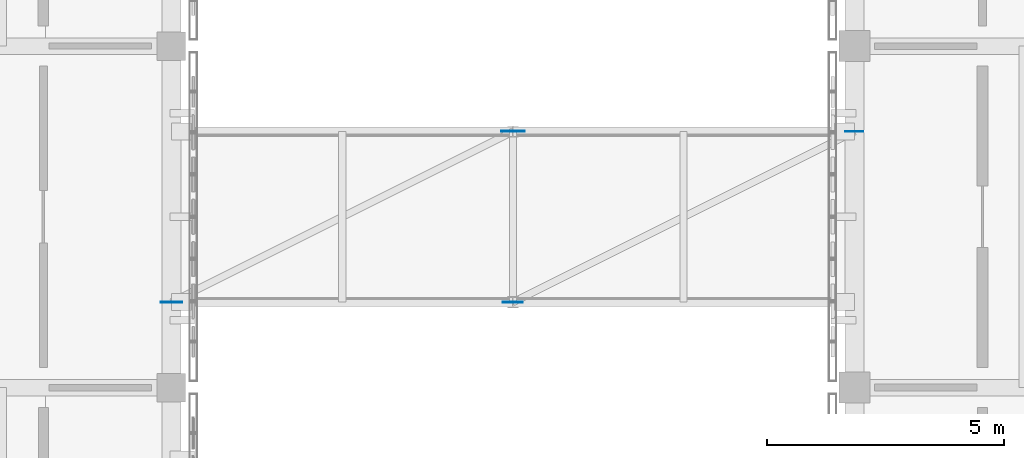
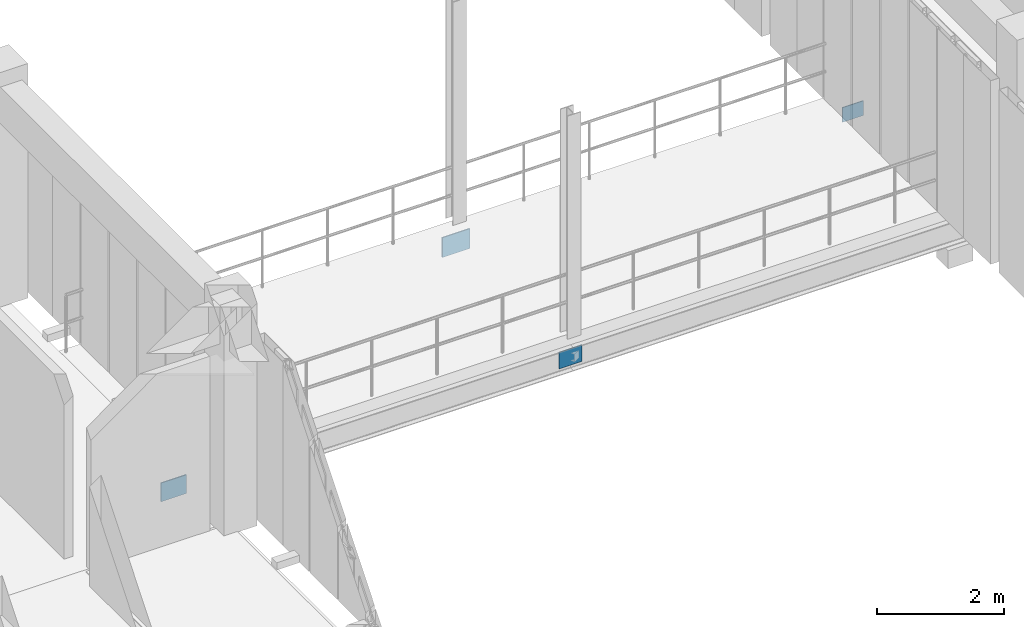
# One storey, part 116 of 171: 4 plates.
"""IFC4 building model written with IfcOpenShell, lengths in metres."""

from ifc_helpers import new_model, si_unit, direction, frame, origin, origin_2d, place, context, subcontext, project, spatial, rectangle, extrude, material, layer, layer_set, type_object, element, save


model = new_model("IFC4")

# Units and contexts
model_context = context("Model", 3, precision=1e-05, world=origin(), true_north=direction((0.0, 1.0)))
body_context = subcontext(model_context, "Body", "Model", "MODEL_VIEW")
ifc_project = project(units=[si_unit("LENGTHUNIT", "METRE"), si_unit("AREAUNIT", "SQUARE_METRE"), si_unit("VOLUMEUNIT", "CUBIC_METRE"), si_unit("PLANEANGLEUNIT", "RADIAN"), si_unit("MASSUNIT", "GRAM", prefix="KILO")], contexts=[model_context])

# Site, building, storey
site_placement = place(None, origin())
site = spatial("IfcSite", under=ifc_project, at=site_placement, CompositionType="ELEMENT")
building_placement = place(site_placement, origin())
building = spatial("IfcBuilding", under=site, at=building_placement, Name="Aldebral Square Health Centre", CompositionType="ELEMENT")
storey_placement = place(building_placement, frame((0.0, 0.0, 4.5)))
storey = spatial("IfcBuildingStorey", under=building, at=storey_placement, Name="L01", CompositionType="ELEMENT", Elevation=4.5)

# Plates
ifc_material = material(Name="Steel S355JR", Category="steel")
ifc_layer_1 = layer(ifc_material, 0.01611328125, Name="Steel S355JR", Category="steel")
ifc_layer_set_1 = layer_set([ifc_layer_1], Name="Steel S355JR")
plate_type_1 = type_object("IfcPlateType", Name="PL-GUS-1", PredefinedType="USERDEFINED", material=ifc_layer_set_1)
plate_1_placement = place(storey_placement, frame((151.199951171875, 81.0, -0.60498046875), z_axis=(0.0, 0.0, 1.0), x_axis=(1.0, 0.0, 0.0)))
element("IfcPlate", 1, at=plate_1_placement, inside=storey, type_object=plate_type_1, Name="East Light Court Bridge L01 plan brace 2 start gusset plate", ObjectType="GUSSET_PLATE", PredefinedType="USERDEFINED", context=body_context, shape_type="SweptSolid", body=[
    extrude(rectangle(XDim=0.419921875, YDim=0.01611328125, at=origin_2d()), origin(), (0.0, 0.0, 1.0), 0.320068359375),
])
ifc_layer_2 = layer(ifc_material, 0.01611328125, Name="Steel S355JR", Category="steel")
ifc_layer_set_2 = layer_set([ifc_layer_2], Name="Steel S355JR")
plate_type_2 = type_object("IfcPlateType", Name="PL-GUS-2", PredefinedType="USERDEFINED", material=ifc_layer_set_2)
plate_2_placement = place(storey_placement, frame((158.39990234375, 84.60009765625, -0.5849609375), z_axis=(0.0, 0.0, 1.0), x_axis=(1.0, 0.0, 0.0)))
element("IfcPlate", 2, at=plate_2_placement, inside=storey, type_object=plate_type_2, Name="East Light Court Bridge L01 plan brace 2 end gusset plate", ObjectType="GUSSET_PLATE", PredefinedType="USERDEFINED", context=body_context, shape_type="SweptSolid", body=[
    extrude(rectangle(XDim=0.3798828125, YDim=0.01611328125, at=origin_2d()), origin(), (0.0, 0.0, 1.0), 0.280029296875),
])
ifc_layer_3 = layer(ifc_material, 0.01806640625, Name="Steel S355JR", Category="steel")
ifc_layer_set_3 = layer_set([ifc_layer_3], Name="Steel S355JR")
plate_type_3 = type_object("IfcPlateType", Name="PL-GUS-5", PredefinedType="USERDEFINED", material=ifc_layer_set_3)
plate_3_placement = place(storey_placement, frame((144.0, 81.0, -0.625), z_axis=(0.0, 0.0, 1.0), x_axis=(1.0, 0.0, 0.0)))
element("IfcPlate", 3, at=plate_3_placement, inside=storey, type_object=plate_type_3, Name="East Light Court Bridge L01 plan brace 1 start gusset plate", ObjectType="GUSSET_PLATE", PredefinedType="USERDEFINED", context=body_context, shape_type="SweptSolid", body=[
    extrude(rectangle(XDim=0.4599609375, YDim=0.01806640625, at=origin_2d()), origin(), (0.0, 0.0, 1.0), 0.360107421875),
])
ifc_layer_4 = layer(ifc_material, 0.02001953125, Name="Steel S355JR", Category="steel")
ifc_layer_set_4 = layer_set([ifc_layer_4], Name="Steel S355JR")
plate_type_4 = type_object("IfcPlateType", Name="PL-GUS-6", PredefinedType="USERDEFINED", material=ifc_layer_set_4)
plate_4_placement = place(storey_placement, frame((151.199951171875, 84.60009765625, -0.635009765625), z_axis=(0.0, 0.0, 1.0), x_axis=(1.0, 0.0, 0.0)))
element("IfcPlate", 4, at=plate_4_placement, inside=storey, type_object=plate_type_4, Name="East Light Court Bridge L01 plan brace 1 end gusset plate", ObjectType="GUSSET_PLATE", PredefinedType="USERDEFINED", context=body_context, shape_type="SweptSolid", body=[
    extrude(rectangle(XDim=0.5, YDim=0.02001953125, at=origin_2d()), origin(), (0.0, 0.0, 1.0), 0.3798828125),
])

save(model, "model.ifc")
